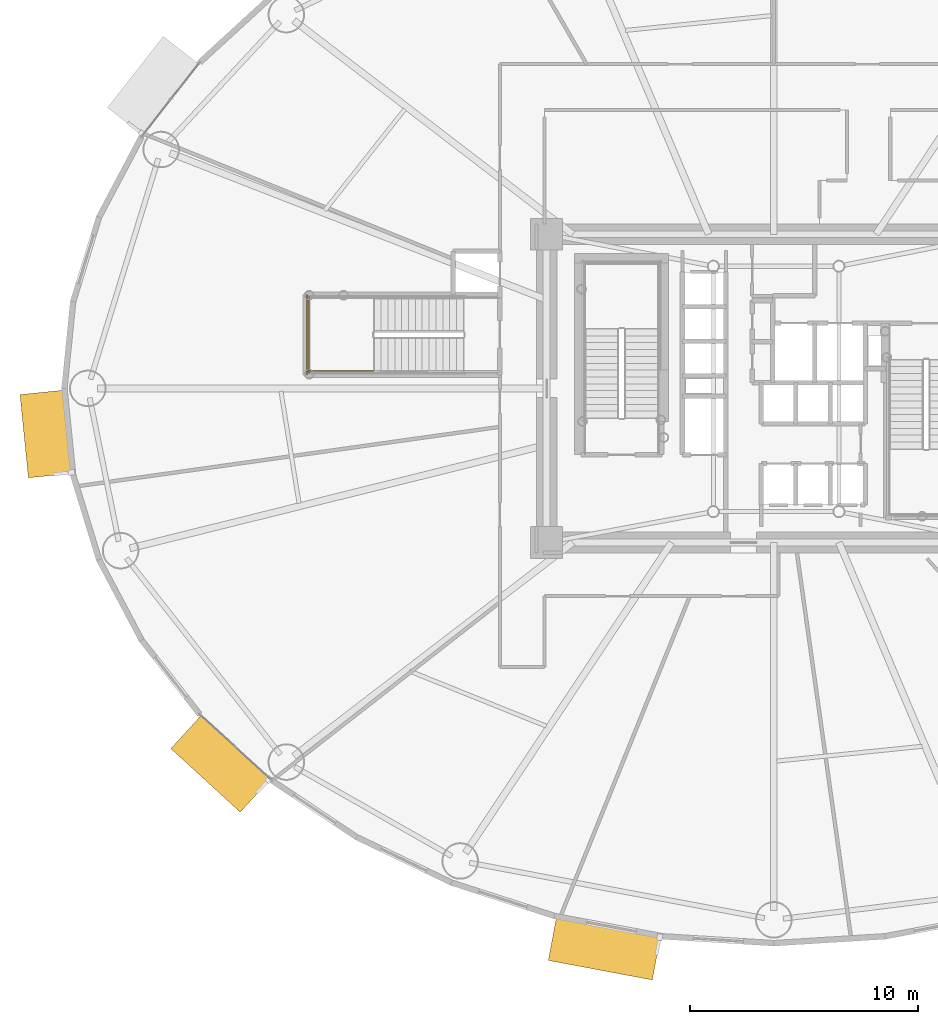
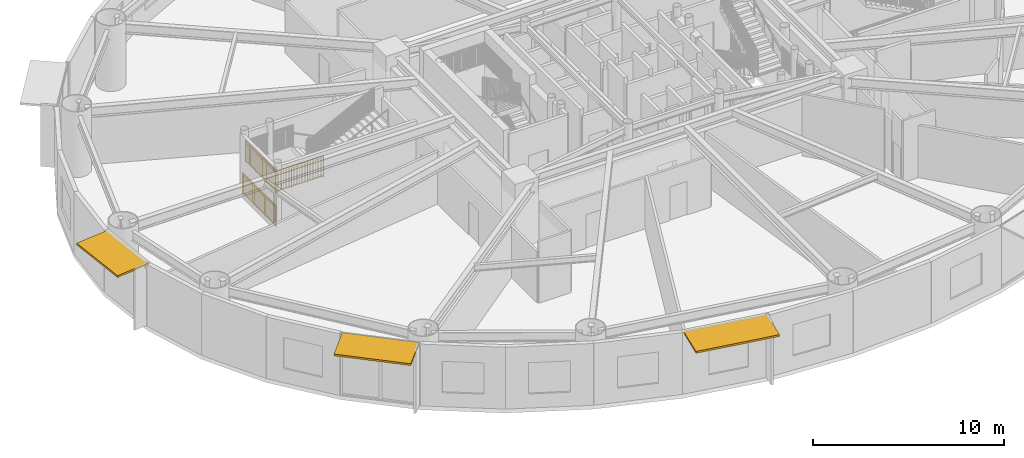
# One storey, part 21 of 32: 3 railings, 3 shading devices.
"""IFC4 building model written with IfcOpenShell, lengths in metres."""

from ifc_helpers import new_model, si_unit, direction, frame, origin, origin_2d, place, context, subcontext, project, spatial, rectangle, extrude, source, transform, mapped, material, layer, layer_set, type_object, element, save


model = new_model("IFC4")

# Units and contexts
model_context = context("Model", 3, precision=1e-05, world=origin(), true_north=direction((0.0, 1.0)))
body_context = subcontext(model_context, "Body", "Model", "MODEL_VIEW")
ifc_project = project(units=[si_unit("LENGTHUNIT", "METRE"), si_unit("AREAUNIT", "SQUARE_METRE"), si_unit("VOLUMEUNIT", "CUBIC_METRE"), si_unit("PLANEANGLEUNIT", "RADIAN"), si_unit("MASSUNIT", "GRAM", prefix="KILO")], contexts=[model_context])

# Site, building, storey
site_placement = place(None, origin())
site = spatial("IfcSite", under=ifc_project, at=site_placement, CompositionType="ELEMENT")
building_placement = place(site_placement, origin())
building = spatial("IfcBuilding", under=site, at=building_placement, Name="Linh Dai School and Residence Tower", CompositionType="ELEMENT")
storey_placement = place(building_placement, frame((0.0, 0.0, 40.800048828125)))
storey = spatial("IfcBuildingStorey", under=building, at=storey_placement, Name="L09", CompositionType="ELEMENT", Elevation=40.800048828125)

# Shading devices
ifc_material_1 = material(Name="Terracotta Ceramic Sunshade", Category="masonry")
ifc_layer = layer(ifc_material_1, 0.1201171875)
ifc_layer_set = layer_set([ifc_layer], Name="Terracotta Ceramic Sunshade")
shading_device_type = type_object("IfcShadingDeviceType", Name="SHD-TC-2000", PredefinedType="USERDEFINED", material=ifc_layer_set)
shared_shape_1 = source(origin(), body_context, "Body", "SweptSolid", [
    extrude(rectangle(XDim=3.663330078125, YDim=2.0, at=origin_2d()), origin(), (0.0, 0.0, 1.0), 0.1201171875),
])
shading_device_1_placement = place(storey_placement, frame((4.16064453125, 25.005615234375, 3.809814453125), z_axis=(0.0, 0.0, 1.0), x_axis=(-0.100009387998, 0.994986493533, 0.0)))
element("IfcShadingDevice", 1, at=shading_device_1_placement, inside=storey, type_object=shading_device_type, Name="L09 Terracotta Horizontal Sunshade Band 21", ObjectType="SUNSHADE", PredefinedType="USERDEFINED", context=body_context, shape_type="MappedRepresentation", body=[
    mapped(shared_shape_1, transform((0.0, 0.0, 0.0), x_axis=(1.0, 0.0, 0.0), y_axis=(0.0, 1.0, 0.0), z_axis=(0.0, 0.0, 1.0), scale=1.0)),
])
shared_shape_2 = source(origin(), body_context, "Body", "SweptSolid", [
    extrude(rectangle(XDim=4.1220703125, YDim=2.0, at=origin_2d()), origin(), (0.0, 0.0, 1.0), 0.1201171875),
])
shading_device_2_placement = place(storey_placement, frame((11.7841796875, 10.56689453125, 3.809814453125), z_axis=(0.0, 0.0, 1.0), x_axis=(-0.737113246362, 0.675769237268, 0.0)))
element("IfcShadingDevice", 2, at=shading_device_2_placement, inside=storey, type_object=shading_device_type, Name="L09 Terracotta Horizontal Sunshade Band 25", ObjectType="SUNSHADE", PredefinedType="USERDEFINED", context=body_context, shape_type="MappedRepresentation", body=[
    mapped(shared_shape_2, transform((0.0, 0.0, 0.0), x_axis=(1.0, 0.0, 0.0), y_axis=(0.0, 1.0, 0.0), z_axis=(0.0, 0.0, 1.0), scale=1.0)),
])
shared_shape_3 = source(origin(), body_context, "Body", "SweptSolid", [
    extrude(rectangle(XDim=4.635009765625, YDim=2.0, at=origin_2d()), origin(), (0.0, 0.0, 1.0), 0.1201171875),
])
shading_device_3_placement = place(storey_placement, frame((28.584716796875, 2.497314453125, 3.809814453125), z_axis=(0.0, 0.0, 1.0), x_axis=(-0.982785935675, 0.184747948944, 0.0)))
element("IfcShadingDevice", 3, at=shading_device_3_placement, inside=storey, type_object=shading_device_type, Name="L09 Terracotta Horizontal Sunshade Band 29", ObjectType="SUNSHADE", PredefinedType="USERDEFINED", context=body_context, shape_type="MappedRepresentation", body=[
    mapped(shared_shape_3, transform((0.0, 0.0, 0.0), x_axis=(1.0, 0.0, 0.0), y_axis=(0.0, 1.0, 0.0), z_axis=(0.0, 0.0, 1.0), scale=1.0)),
])

# Railings
ifc_material_2 = material(Name="Structural Steel S355JR", Category="steel")
railing_type = type_object("IfcRailingType", Name="RL-ST-GUARD-1400", PredefinedType="GUARDRAIL", material=ifc_material_2)
shared_shape_4 = source(origin(), body_context, "Body", "SweptSolid", [
    extrude(rectangle(XDim=0.048095703125, YDim=0.048095703125, at=origin_2d()), frame((0.0, 0.0, 1.3759765625), z_axis=(0.0, -1.0, 0.0), x_axis=(1.0, 0.0, 0.0)), (0.0, 0.0, 1.0), 3.300048828125),
    extrude(rectangle(XDim=0.048095703125, YDim=0.048095703125, at=origin_2d()), frame((0.0, 0.0, 0.10009765625), z_axis=(0.0, -1.0, 0.0), x_axis=(1.0, 0.0, 0.0)), (0.0, 0.0, 1.0), 3.300048828125),
    extrude(rectangle(XDim=0.030029296875, YDim=0.030029296875, at=origin_2d()), frame((0.0, 0.0, 1.239990234375), z_axis=(0.0, -1.0, 0.0), x_axis=(1.0, 0.0, 0.0)), (0.0, 0.0, 1.0), 3.300048828125),
    extrude(rectangle(XDim=0.02001953125, YDim=0.02001953125, at=origin_2d()), frame((0.0, -0.09716796875, 0.10009765625)), (0.0, 0.0, 1.0), 1.251708984375),
    extrude(rectangle(XDim=0.02001953125, YDim=0.02001953125, at=origin_2d()), frame((0.0, -0.194091796875, 0.10009765625)), (0.0, 0.0, 1.0), 1.251708984375),
    extrude(rectangle(XDim=0.02001953125, YDim=0.02001953125, at=origin_2d()), frame((0.0, -0.291259765625, 0.10009765625)), (0.0, 0.0, 1.0), 1.251708984375),
    extrude(rectangle(XDim=0.02001953125, YDim=0.02001953125, at=origin_2d()), frame((0.0, -0.38818359375, 0.10009765625)), (0.0, 0.0, 1.0), 1.251708984375),
    extrude(rectangle(XDim=0.02001953125, YDim=0.02001953125, at=origin_2d()), frame((0.0, -0.4853515625, 0.10009765625)), (0.0, 0.0, 1.0), 1.251708984375),
    extrude(rectangle(XDim=0.02001953125, YDim=0.02001953125, at=origin_2d()), frame((0.0, -0.582275390625, 0.10009765625)), (0.0, 0.0, 1.0), 1.251708984375),
    extrude(rectangle(XDim=0.02001953125, YDim=0.02001953125, at=origin_2d()), frame((0.0, -0.679443359375, 0.10009765625)), (0.0, 0.0, 1.0), 1.251708984375),
    extrude(rectangle(XDim=0.02001953125, YDim=0.02001953125, at=origin_2d()), frame((0.0, -0.7763671875, 0.10009765625)), (0.0, 0.0, 1.0), 1.251708984375),
    extrude(rectangle(XDim=0.02001953125, YDim=0.02001953125, at=origin_2d()), frame((0.0, -0.87353515625, 0.10009765625)), (0.0, 0.0, 1.0), 1.251708984375),
    extrude(rectangle(XDim=0.02001953125, YDim=0.02001953125, at=origin_2d()), frame((0.0, -0.970703125, 0.10009765625)), (0.0, 0.0, 1.0), 1.251708984375),
    extrude(rectangle(XDim=0.02001953125, YDim=0.02001953125, at=origin_2d()), frame((0.0, -1.164794921875, 0.10009765625)), (0.0, 0.0, 1.0), 1.251708984375),
    extrude(rectangle(XDim=0.02001953125, YDim=0.02001953125, at=origin_2d()), frame((0.0, -1.26171875, 0.10009765625)), (0.0, 0.0, 1.0), 1.251708984375),
    extrude(rectangle(XDim=0.02001953125, YDim=0.02001953125, at=origin_2d()), frame((0.0, -1.35888671875, 0.10009765625)), (0.0, 0.0, 1.0), 1.251708984375),
    extrude(rectangle(XDim=0.02001953125, YDim=0.02001953125, at=origin_2d()), frame((0.0, -1.455810546875, 0.10009765625)), (0.0, 0.0, 1.0), 1.251708984375),
    extrude(rectangle(XDim=0.02001953125, YDim=0.02001953125, at=origin_2d()), frame((0.0, -1.552978515625, 0.10009765625)), (0.0, 0.0, 1.0), 1.251708984375),
    extrude(rectangle(XDim=0.02001953125, YDim=0.02001953125, at=origin_2d()), frame((0.0, -1.64990234375, 0.10009765625)), (0.0, 0.0, 1.0), 1.251708984375),
    extrude(rectangle(XDim=0.02001953125, YDim=0.02001953125, at=origin_2d()), frame((0.0, -1.7470703125, 0.10009765625)), (0.0, 0.0, 1.0), 1.251708984375),
    extrude(rectangle(XDim=0.02001953125, YDim=0.02001953125, at=origin_2d()), frame((0.0, -1.84423828125, 0.10009765625)), (0.0, 0.0, 1.0), 1.251708984375),
    extrude(rectangle(XDim=0.02001953125, YDim=0.02001953125, at=origin_2d()), frame((0.0, -1.941162109375, 0.10009765625)), (0.0, 0.0, 1.0), 1.251708984375),
    extrude(rectangle(XDim=0.02001953125, YDim=0.02001953125, at=origin_2d()), frame((0.0, -2.038330078125, 0.10009765625)), (0.0, 0.0, 1.0), 1.251708984375),
    extrude(rectangle(XDim=0.02001953125, YDim=0.02001953125, at=origin_2d()), frame((0.0, -2.13525390625, 0.10009765625)), (0.0, 0.0, 1.0), 1.251708984375),
    extrude(rectangle(XDim=0.02001953125, YDim=0.02001953125, at=origin_2d()), frame((0.0, -2.329345703125, 0.10009765625)), (0.0, 0.0, 1.0), 1.251708984375),
    extrude(rectangle(XDim=0.02001953125, YDim=0.02001953125, at=origin_2d()), frame((0.0, -2.426513671875, 0.10009765625)), (0.0, 0.0, 1.0), 1.251708984375),
    extrude(rectangle(XDim=0.02001953125, YDim=0.02001953125, at=origin_2d()), frame((0.0, -2.523681640625, 0.10009765625)), (0.0, 0.0, 1.0), 1.251708984375),
    extrude(rectangle(XDim=0.02001953125, YDim=0.02001953125, at=origin_2d()), frame((0.0, -2.62060546875, 0.10009765625)), (0.0, 0.0, 1.0), 1.251708984375),
    extrude(rectangle(XDim=0.02001953125, YDim=0.02001953125, at=origin_2d()), frame((0.0, -2.7177734375, 0.10009765625)), (0.0, 0.0, 1.0), 1.251708984375),
    extrude(rectangle(XDim=0.02001953125, YDim=0.02001953125, at=origin_2d()), frame((0.0, -2.814697265625, 0.10009765625)), (0.0, 0.0, 1.0), 1.251708984375),
    extrude(rectangle(XDim=0.02001953125, YDim=0.02001953125, at=origin_2d()), frame((0.0, -2.911865234375, 0.10009765625)), (0.0, 0.0, 1.0), 1.251708984375),
    extrude(rectangle(XDim=0.02001953125, YDim=0.02001953125, at=origin_2d()), frame((0.0, -3.0087890625, 0.10009765625)), (0.0, 0.0, 1.0), 1.251708984375),
    extrude(rectangle(XDim=0.02001953125, YDim=0.02001953125, at=origin_2d()), frame((0.0, -3.10595703125, 0.10009765625)), (0.0, 0.0, 1.0), 1.251708984375),
    extrude(rectangle(XDim=0.02001953125, YDim=0.02001953125, at=origin_2d()), frame((0.0, -3.202880859375, 0.10009765625)), (0.0, 0.0, 1.0), 1.251708984375),
    extrude(rectangle(XDim=0.0419921875, YDim=0.0419921875, at=origin_2d()), origin(), (0.0, 0.0, 1.0), 1.3759765625),
    extrude(rectangle(XDim=0.0419921875, YDim=0.0419921875, at=origin_2d()), frame((0.0, -1.10009765625, 0.0)), (0.0, 0.0, 1.0), 1.3759765625),
    extrude(rectangle(XDim=0.0419921875, YDim=0.0419921875, at=origin_2d()), frame((0.0, -2.199951171875, 0.0)), (0.0, 0.0, 1.0), 1.3759765625),
    extrude(rectangle(XDim=0.0419921875, YDim=0.0419921875, at=origin_2d()), frame((0.0, -3.300048828125, 0.0)), (0.0, 0.0, 1.0), 1.3759765625),
])
railing_1_placement = place(storey_placement, frame((15.64990234375, 31.0, 2.099853515625)))
element("IfcRailing", 4, at=railing_1_placement, inside=storey, type_object=railing_type, Name="L09 STS1 stair guard 5", PredefinedType="GUARDRAIL", context=body_context, shape_type="MappedRepresentation", body=[
    mapped(shared_shape_4, transform((0.0, 0.0, 0.0), x_axis=(1.0, 0.0, 0.0), y_axis=(0.0, 1.0, 0.0), z_axis=(0.0, 0.0, 1.0), scale=1.0)),
])
shared_shape_5 = source(origin(), body_context, "Body", "SweptSolid", [
    extrude(rectangle(XDim=0.048095703125, YDim=0.048095703125, at=origin_2d()), frame((0.0, 0.0, 1.3759765625), z_axis=(-1.0, 0.0, 0.0), x_axis=(0.0, -1.0, 0.0)), (0.0, 0.0, 1.0), 2.89990234375),
    extrude(rectangle(XDim=0.048095703125, YDim=0.048095703125, at=origin_2d()), frame((0.0, 0.0, 0.10009765625), z_axis=(-1.0, 0.0, 0.0), x_axis=(0.0, -1.0, 0.0)), (0.0, 0.0, 1.0), 2.89990234375),
    extrude(rectangle(XDim=0.030029296875, YDim=0.030029296875, at=origin_2d()), frame((0.0, 0.0, 1.239990234375), z_axis=(-1.0, 0.0, 0.0), x_axis=(0.0, -1.0, 0.0)), (0.0, 0.0, 1.0), 2.89990234375),
    extrude(rectangle(XDim=0.02001953125, YDim=0.02001953125, at=origin_2d()), frame((-0.0966796875, 0.0, 0.10009765625)), (0.0, 0.0, 1.0), 1.251708984375),
    extrude(rectangle(XDim=0.02001953125, YDim=0.02001953125, at=origin_2d()), frame((-0.193359375, 0.0, 0.10009765625)), (0.0, 0.0, 1.0), 1.251708984375),
    extrude(rectangle(XDim=0.02001953125, YDim=0.02001953125, at=origin_2d()), frame((-0.2900390625, 0.0, 0.10009765625)), (0.0, 0.0, 1.0), 1.251708984375),
    extrude(rectangle(XDim=0.02001953125, YDim=0.02001953125, at=origin_2d()), frame((-0.38671875, 0.0, 0.10009765625)), (0.0, 0.0, 1.0), 1.251708984375),
    extrude(rectangle(XDim=0.02001953125, YDim=0.02001953125, at=origin_2d()), frame((-0.4833984375, 0.0, 0.10009765625)), (0.0, 0.0, 1.0), 1.251708984375),
    extrude(rectangle(XDim=0.02001953125, YDim=0.02001953125, at=origin_2d()), frame((-0.580078125, 0.0, 0.10009765625)), (0.0, 0.0, 1.0), 1.251708984375),
    extrude(rectangle(XDim=0.02001953125, YDim=0.02001953125, at=origin_2d()), frame((-0.6767578125, 0.0, 0.10009765625)), (0.0, 0.0, 1.0), 1.251708984375),
    extrude(rectangle(XDim=0.02001953125, YDim=0.02001953125, at=origin_2d()), frame((-0.773193359375, 0.0, 0.10009765625)), (0.0, 0.0, 1.0), 1.251708984375),
    extrude(rectangle(XDim=0.02001953125, YDim=0.02001953125, at=origin_2d()), frame((-0.869873046875, 0.0, 0.10009765625)), (0.0, 0.0, 1.0), 1.251708984375),
    extrude(rectangle(XDim=0.02001953125, YDim=0.02001953125, at=origin_2d()), frame((-1.063232421875, 0.0, 0.10009765625)), (0.0, 0.0, 1.0), 1.251708984375),
    extrude(rectangle(XDim=0.02001953125, YDim=0.02001953125, at=origin_2d()), frame((-1.159912109375, 0.0, 0.10009765625)), (0.0, 0.0, 1.0), 1.251708984375),
    extrude(rectangle(XDim=0.02001953125, YDim=0.02001953125, at=origin_2d()), frame((-1.256591796875, 0.0, 0.10009765625)), (0.0, 0.0, 1.0), 1.251708984375),
    extrude(rectangle(XDim=0.02001953125, YDim=0.02001953125, at=origin_2d()), frame((-1.353271484375, 0.0, 0.10009765625)), (0.0, 0.0, 1.0), 1.251708984375),
    extrude(rectangle(XDim=0.02001953125, YDim=0.02001953125, at=origin_2d()), frame((-1.449951171875, 0.0, 0.10009765625)), (0.0, 0.0, 1.0), 1.251708984375),
    extrude(rectangle(XDim=0.02001953125, YDim=0.02001953125, at=origin_2d()), frame((-1.546630859375, 0.0, 0.10009765625)), (0.0, 0.0, 1.0), 1.251708984375),
    extrude(rectangle(XDim=0.02001953125, YDim=0.02001953125, at=origin_2d()), frame((-1.643310546875, 0.0, 0.10009765625)), (0.0, 0.0, 1.0), 1.251708984375),
    extrude(rectangle(XDim=0.02001953125, YDim=0.02001953125, at=origin_2d()), frame((-1.739990234375, 0.0, 0.10009765625)), (0.0, 0.0, 1.0), 1.251708984375),
    extrude(rectangle(XDim=0.02001953125, YDim=0.02001953125, at=origin_2d()), frame((-1.836669921875, 0.0, 0.10009765625)), (0.0, 0.0, 1.0), 1.251708984375),
    extrude(rectangle(XDim=0.02001953125, YDim=0.02001953125, at=origin_2d()), frame((-2.030029296875, 0.0, 0.10009765625)), (0.0, 0.0, 1.0), 1.251708984375),
    extrude(rectangle(XDim=0.02001953125, YDim=0.02001953125, at=origin_2d()), frame((-2.126708984375, 0.0, 0.10009765625)), (0.0, 0.0, 1.0), 1.251708984375),
    extrude(rectangle(XDim=0.02001953125, YDim=0.02001953125, at=origin_2d()), frame((-2.22314453125, 0.0, 0.10009765625)), (0.0, 0.0, 1.0), 1.251708984375),
    extrude(rectangle(XDim=0.02001953125, YDim=0.02001953125, at=origin_2d()), frame((-2.31982421875, 0.0, 0.10009765625)), (0.0, 0.0, 1.0), 1.251708984375),
    extrude(rectangle(XDim=0.02001953125, YDim=0.02001953125, at=origin_2d()), frame((-2.41650390625, 0.0, 0.10009765625)), (0.0, 0.0, 1.0), 1.251708984375),
    extrude(rectangle(XDim=0.02001953125, YDim=0.02001953125, at=origin_2d()), frame((-2.51318359375, 0.0, 0.10009765625)), (0.0, 0.0, 1.0), 1.251708984375),
    extrude(rectangle(XDim=0.02001953125, YDim=0.02001953125, at=origin_2d()), frame((-2.60986328125, 0.0, 0.10009765625)), (0.0, 0.0, 1.0), 1.251708984375),
    extrude(rectangle(XDim=0.02001953125, YDim=0.02001953125, at=origin_2d()), frame((-2.70654296875, 0.0, 0.10009765625)), (0.0, 0.0, 1.0), 1.251708984375),
    extrude(rectangle(XDim=0.02001953125, YDim=0.02001953125, at=origin_2d()), frame((-2.80322265625, 0.0, 0.10009765625)), (0.0, 0.0, 1.0), 1.251708984375),
    extrude(rectangle(XDim=0.0419921875, YDim=0.0419921875, at=origin_2d()), origin(), (0.0, 0.0, 1.0), 1.3759765625),
    extrude(rectangle(XDim=0.0419921875, YDim=0.0419921875, at=origin_2d()), frame((-0.966552734375, 0.0, 0.0)), (0.0, 0.0, 1.0), 1.3759765625),
    extrude(rectangle(XDim=0.0419921875, YDim=0.0419921875, at=origin_2d()), frame((-1.933349609375, 0.0, 0.0)), (0.0, 0.0, 1.0), 1.3759765625),
    extrude(rectangle(XDim=0.0419921875, YDim=0.0419921875, at=origin_2d()), frame((-2.89990234375, 0.0, 0.0)), (0.0, 0.0, 1.0), 1.3759765625),
])
railing_2_placement = place(storey_placement, frame((18.5, 27.75, 2.099853515625)))
element("IfcRailing", 5, at=railing_2_placement, inside=storey, type_object=railing_type, Name="L09 STS1 stair guard 4", PredefinedType="GUARDRAIL", context=body_context, shape_type="MappedRepresentation", body=[
    mapped(shared_shape_5, transform((0.0, 0.0, 0.0), x_axis=(1.0, 0.0, 0.0), y_axis=(0.0, 1.0, 0.0), z_axis=(0.0, 0.0, 1.0), scale=1.0)),
])
shared_shape_6 = source(origin(), body_context, "Body", "SweptSolid", [
    extrude(rectangle(XDim=0.048095703125, YDim=0.048095703125, at=origin_2d()), frame((0.0, 0.0, 1.3759765625), z_axis=(0.0, -1.0, 0.0), x_axis=(1.0, 0.0, 0.0)), (0.0, 0.0, 1.0), 3.5),
    extrude(rectangle(XDim=0.048095703125, YDim=0.048095703125, at=origin_2d()), frame((0.0, 0.0, 0.10009765625), z_axis=(0.0, -1.0, 0.0), x_axis=(1.0, 0.0, 0.0)), (0.0, 0.0, 1.0), 3.5),
    extrude(rectangle(XDim=0.030029296875, YDim=0.030029296875, at=origin_2d()), frame((0.0, 0.0, 1.239990234375), z_axis=(0.0, -1.0, 0.0), x_axis=(1.0, 0.0, 0.0)), (0.0, 0.0, 1.0), 3.5),
    extrude(rectangle(XDim=0.02001953125, YDim=0.02001953125, at=origin_2d()), frame((0.0, -0.09716796875, 0.10009765625)), (0.0, 0.0, 1.0), 1.251708984375),
    extrude(rectangle(XDim=0.02001953125, YDim=0.02001953125, at=origin_2d()), frame((0.0, -0.1943359375, 0.10009765625)), (0.0, 0.0, 1.0), 1.251708984375),
    extrude(rectangle(XDim=0.02001953125, YDim=0.02001953125, at=origin_2d()), frame((0.0, -0.291748046875, 0.10009765625)), (0.0, 0.0, 1.0), 1.251708984375),
    extrude(rectangle(XDim=0.02001953125, YDim=0.02001953125, at=origin_2d()), frame((0.0, -0.388916015625, 0.10009765625)), (0.0, 0.0, 1.0), 1.251708984375),
    extrude(rectangle(XDim=0.02001953125, YDim=0.02001953125, at=origin_2d()), frame((0.0, -0.486083984375, 0.10009765625)), (0.0, 0.0, 1.0), 1.251708984375),
    extrude(rectangle(XDim=0.02001953125, YDim=0.02001953125, at=origin_2d()), frame((0.0, -0.583251953125, 0.10009765625)), (0.0, 0.0, 1.0), 1.251708984375),
    extrude(rectangle(XDim=0.02001953125, YDim=0.02001953125, at=origin_2d()), frame((0.0, -0.6806640625, 0.10009765625)), (0.0, 0.0, 1.0), 1.251708984375),
    extrude(rectangle(XDim=0.02001953125, YDim=0.02001953125, at=origin_2d()), frame((0.0, -0.77783203125, 0.10009765625)), (0.0, 0.0, 1.0), 1.251708984375),
    extrude(rectangle(XDim=0.02001953125, YDim=0.02001953125, at=origin_2d()), frame((0.0, -0.875, 0.10009765625)), (0.0, 0.0, 1.0), 1.251708984375),
    extrude(rectangle(XDim=0.02001953125, YDim=0.02001953125, at=origin_2d()), frame((0.0, -0.97216796875, 0.10009765625)), (0.0, 0.0, 1.0), 1.251708984375),
    extrude(rectangle(XDim=0.02001953125, YDim=0.02001953125, at=origin_2d()), frame((0.0, -1.0693359375, 0.10009765625)), (0.0, 0.0, 1.0), 1.251708984375),
    extrude(rectangle(XDim=0.02001953125, YDim=0.02001953125, at=origin_2d()), frame((0.0, -1.263916015625, 0.10009765625)), (0.0, 0.0, 1.0), 1.251708984375),
    extrude(rectangle(XDim=0.02001953125, YDim=0.02001953125, at=origin_2d()), frame((0.0, -1.361083984375, 0.10009765625)), (0.0, 0.0, 1.0), 1.251708984375),
    extrude(rectangle(XDim=0.02001953125, YDim=0.02001953125, at=origin_2d()), frame((0.0, -1.458251953125, 0.10009765625)), (0.0, 0.0, 1.0), 1.251708984375),
    extrude(rectangle(XDim=0.02001953125, YDim=0.02001953125, at=origin_2d()), frame((0.0, -1.5556640625, 0.10009765625)), (0.0, 0.0, 1.0), 1.251708984375),
    extrude(rectangle(XDim=0.02001953125, YDim=0.02001953125, at=origin_2d()), frame((0.0, -1.65283203125, 0.10009765625)), (0.0, 0.0, 1.0), 1.251708984375),
    extrude(rectangle(XDim=0.02001953125, YDim=0.02001953125, at=origin_2d()), frame((0.0, -1.75, 0.10009765625)), (0.0, 0.0, 1.0), 1.251708984375),
    extrude(rectangle(XDim=0.02001953125, YDim=0.02001953125, at=origin_2d()), frame((0.0, -1.84716796875, 0.10009765625)), (0.0, 0.0, 1.0), 1.251708984375),
    extrude(rectangle(XDim=0.02001953125, YDim=0.02001953125, at=origin_2d()), frame((0.0, -1.9443359375, 0.10009765625)), (0.0, 0.0, 1.0), 1.251708984375),
    extrude(rectangle(XDim=0.02001953125, YDim=0.02001953125, at=origin_2d()), frame((0.0, -2.041748046875, 0.10009765625)), (0.0, 0.0, 1.0), 1.251708984375),
    extrude(rectangle(XDim=0.02001953125, YDim=0.02001953125, at=origin_2d()), frame((0.0, -2.138916015625, 0.10009765625)), (0.0, 0.0, 1.0), 1.251708984375),
    extrude(rectangle(XDim=0.02001953125, YDim=0.02001953125, at=origin_2d()), frame((0.0, -2.236083984375, 0.10009765625)), (0.0, 0.0, 1.0), 1.251708984375),
    extrude(rectangle(XDim=0.02001953125, YDim=0.02001953125, at=origin_2d()), frame((0.0, -2.4306640625, 0.10009765625)), (0.0, 0.0, 1.0), 1.251708984375),
    extrude(rectangle(XDim=0.02001953125, YDim=0.02001953125, at=origin_2d()), frame((0.0, -2.52783203125, 0.10009765625)), (0.0, 0.0, 1.0), 1.251708984375),
    extrude(rectangle(XDim=0.02001953125, YDim=0.02001953125, at=origin_2d()), frame((0.0, -2.625, 0.10009765625)), (0.0, 0.0, 1.0), 1.251708984375),
    extrude(rectangle(XDim=0.02001953125, YDim=0.02001953125, at=origin_2d()), frame((0.0, -2.72216796875, 0.10009765625)), (0.0, 0.0, 1.0), 1.251708984375),
    extrude(rectangle(XDim=0.02001953125, YDim=0.02001953125, at=origin_2d()), frame((0.0, -2.8193359375, 0.10009765625)), (0.0, 0.0, 1.0), 1.251708984375),
    extrude(rectangle(XDim=0.02001953125, YDim=0.02001953125, at=origin_2d()), frame((0.0, -2.916748046875, 0.10009765625)), (0.0, 0.0, 1.0), 1.251708984375),
    extrude(rectangle(XDim=0.02001953125, YDim=0.02001953125, at=origin_2d()), frame((0.0, -3.013916015625, 0.10009765625)), (0.0, 0.0, 1.0), 1.251708984375),
    extrude(rectangle(XDim=0.02001953125, YDim=0.02001953125, at=origin_2d()), frame((0.0, -3.111083984375, 0.10009765625)), (0.0, 0.0, 1.0), 1.251708984375),
    extrude(rectangle(XDim=0.02001953125, YDim=0.02001953125, at=origin_2d()), frame((0.0, -3.208251953125, 0.10009765625)), (0.0, 0.0, 1.0), 1.251708984375),
    extrude(rectangle(XDim=0.02001953125, YDim=0.02001953125, at=origin_2d()), frame((0.0, -3.3056640625, 0.10009765625)), (0.0, 0.0, 1.0), 1.251708984375),
    extrude(rectangle(XDim=0.02001953125, YDim=0.02001953125, at=origin_2d()), frame((0.0, -3.40283203125, 0.10009765625)), (0.0, 0.0, 1.0), 1.251708984375),
    extrude(rectangle(XDim=0.0419921875, YDim=0.0419921875, at=origin_2d()), origin(), (0.0, 0.0, 1.0), 1.3759765625),
    extrude(rectangle(XDim=0.0419921875, YDim=0.0419921875, at=origin_2d()), frame((0.0, -1.166748046875, 0.0)), (0.0, 0.0, 1.0), 1.3759765625),
    extrude(rectangle(XDim=0.0419921875, YDim=0.0419921875, at=origin_2d()), frame((0.0, -2.333251953125, 0.0)), (0.0, 0.0, 1.0), 1.3759765625),
    extrude(rectangle(XDim=0.0419921875, YDim=0.0419921875, at=origin_2d()), frame((0.0, -3.5, 0.0)), (0.0, 0.0, 1.0), 1.3759765625),
])
railing_3_placement = place(storey_placement, frame((15.550048828125, 31.10009765625, 0.0)))
element("IfcRailing", 6, at=railing_3_placement, inside=storey, type_object=railing_type, Name="L09 STS1 stair guard 12", PredefinedType="GUARDRAIL", context=body_context, shape_type="MappedRepresentation", body=[
    mapped(shared_shape_6, transform((0.0, 0.0, 0.0), x_axis=(1.0, 0.0, 0.0), y_axis=(0.0, 1.0, 0.0), z_axis=(0.0, 0.0, 1.0), scale=1.0)),
])

save(model, "model.ifc")
